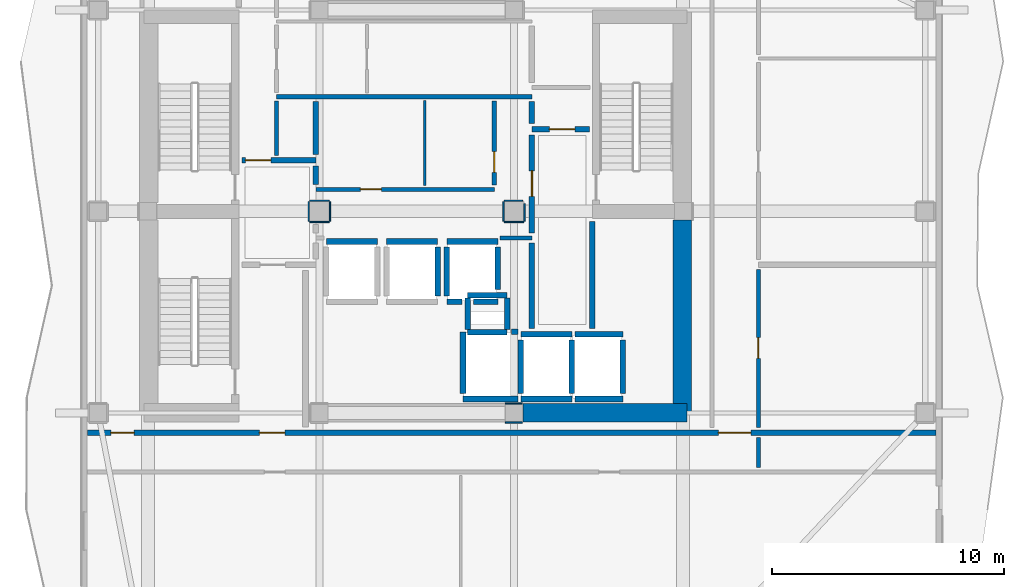
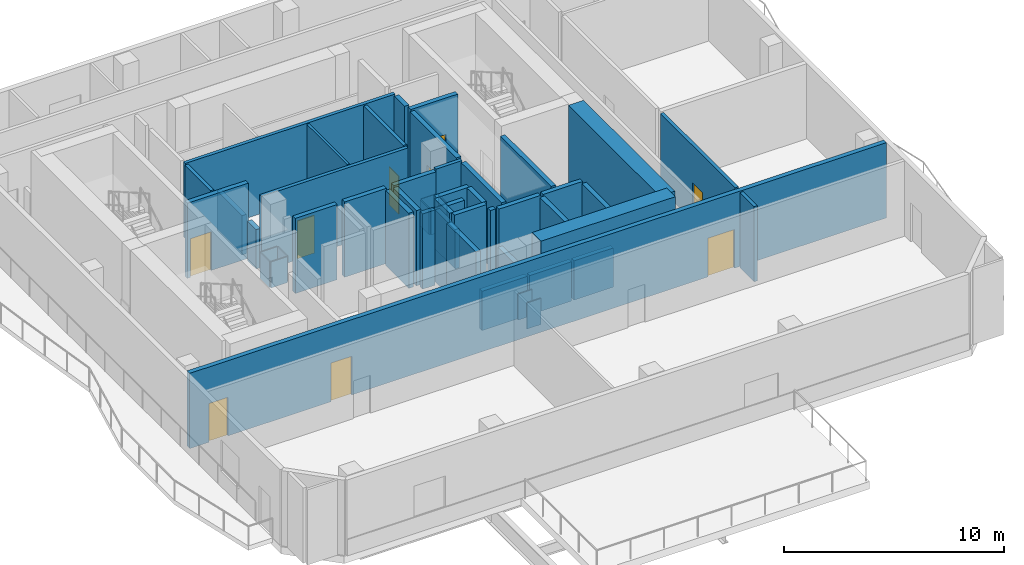
# One storey, part 3 of 10: 51 walls, 9 doors, 9 openings.
"""IFC4 building model written with IfcOpenShell, lengths in metres."""

import ifcopenshell
import ifcopenshell.guid

model = None  # the IFC model being written
_history = None  # IfcOwnerHistory: only IFC2X3 demands one
_inside = {}  # id of a spatial element -> (the spatial element, [elements in it])
_under = {}  # id of a project, library or spatial element -> (it, [spatial elements below it])
_declared = {}  # id of a project -> (the project, [libraries it declares])
_typed = {}  # id of a type object -> (the type object, [elements of that type])
_made_of = {}  # id of a material, layer set ... -> (it, [elements and type objects made of it])


def new_model(schema):
    """Start an empty IFC model of exactly this schema.

    Asked for "IFC4X3", IfcOpenShell would pick the latest addendum, in which some entities
    have other attributes; the version numbers below select the first issue.
    IFC2X3 requires an IfcOwnerHistory on every rooted entity: one is made here for all.
    """
    global model, _history
    if schema == "IFC4X3":
        model = ifcopenshell.file(schema_version=(4, 3, 0, 0))
    else:
        model = ifcopenshell.file(schema=schema)
    _inside.clear()
    _under.clear()
    _declared.clear()
    _typed.clear()
    _made_of.clear()
    _history = None
    if model.schema == "IFC2X3":
        org = make("IfcOrganization", Name="unknown")
        user = make(
            "IfcPersonAndOrganization",
            ThePerson=make("IfcPerson", FamilyName="unknown"),
            TheOrganization=org,
        )
        app = make(
            "IfcApplication",
            ApplicationDeveloper=org,
            Version="unknown",
            ApplicationFullName="unknown",
            ApplicationIdentifier="unknown",
        )
        _history = make(
            "IfcOwnerHistory",
            OwningUser=user,
            OwningApplication=app,
            ChangeAction="ADDED",
            CreationDate=0,
        )
    return model


def make(cls, **values):
    """One entity of the class cls with the attributes given. An attribute that is None is left unset."""
    return model.create_entity(
        cls, **{name: value for name, value in values.items() if value is not None}
    )


def rooted(cls, **values):
    """An entity with a GlobalId (a new one), such as an element, a storey or a relation."""
    return make(cls, GlobalId=ifcopenshell.guid.new(), OwnerHistory=_history, **values)


def si_unit(unit_type, name, prefix=None):
    """IfcSIUnit, for example si_unit("LENGTHUNIT", "METRE", prefix="MILLI")."""
    return make("IfcSIUnit", UnitType=unit_type, Prefix=prefix, Name=name)


def assignment(units):
    """IfcUnitAssignment: the units of a project."""
    return None if units is None else make("IfcUnitAssignment", Units=units)


def point(xyz):
    """IfcCartesianPoint."""
    return None if xyz is None else make("IfcCartesianPoint", Coordinates=xyz)


def direction(xyz):
    """IfcDirection."""
    return None if xyz is None else make("IfcDirection", DirectionRatios=xyz)


def frame(location, z_axis=None, x_axis=None):
    """IfcAxis2Placement3D, a coordinate frame: its origin and axes. An axis left out is left unset."""
    return make(
        "IfcAxis2Placement3D",
        Location=point(location),
        Axis=direction(z_axis),
        RefDirection=direction(x_axis),
    )


def frame_2d(location, x_axis=None):
    """IfcAxis2Placement2D, a coordinate frame in the plane: its origin and x axis."""
    return make(
        "IfcAxis2Placement2D", Location=point(location), RefDirection=direction(x_axis)
    )


def origin():
    """The frame at (0, 0, 0) with its axes left unset."""
    return frame((0.0, 0.0, 0.0))


def place(relative_to, where):
    """IfcLocalPlacement: puts the frame where relative to a parent placement (None: the world)."""
    return make(
        "IfcLocalPlacement", PlacementRelTo=relative_to, RelativePlacement=where
    )


def context(
    kind, dimensions, precision=None, world=None, true_north=None, identifier=None
):
    """IfcGeometricRepresentationContext, for example the 3D "Model" context."""
    return make(
        "IfcGeometricRepresentationContext",
        ContextIdentifier=identifier,
        ContextType=kind,
        CoordinateSpaceDimension=dimensions,
        Precision=precision,
        WorldCoordinateSystem=world,
        TrueNorth=true_north,
    )


def subcontext(parent, identifier, kind, view, scale=None):
    """IfcGeometricRepresentationSubContext, for example "Body" below "Model"."""
    return make(
        "IfcGeometricRepresentationSubContext",
        ContextIdentifier=identifier,
        ContextType=kind,
        ParentContext=parent,
        TargetScale=scale,
        TargetView=view,
    )


def project(units=None, contexts=None):
    """IfcProject with its units and contexts."""
    return rooted(
        "IfcProject",
        Name="project",
        RepresentationContexts=contexts,
        UnitsInContext=assignment(units),
    )


def spatial(cls, under=None, at=None, **own):
    """A site, building, storey or space (cls), placed at a placement, below another one or the project."""
    s = rooted(cls, ObjectPlacement=at, **own)
    if under is not None:
        _under.setdefault(under.id(), (under, []))[1].append(s)
    return s


def profile(cls, at=None, kind="AREA", **sizes):
    """A parametric profile (cls). Its sizes go by their IFC names, for example OverallWidth=200.0."""
    return make(cls, ProfileType=kind, Position=at, **sizes)


def rectangle(**sizes):
    """IfcRectangleProfileDef."""
    return profile("IfcRectangleProfileDef", **sizes)


def extrude(swept, where, along, depth):
    """IfcExtrudedAreaSolid: the profile swept, set in the frame where, extruded along a direction by depth."""
    return make(
        "IfcExtrudedAreaSolid",
        SweptArea=swept,
        Position=where,
        ExtrudedDirection=direction(along),
        Depth=depth,
    )


def shape(context_of_items, identifier, shape_type, items):
    """IfcShapeRepresentation: the items that make up one representation, for example the "Body"."""
    return make(
        "IfcShapeRepresentation",
        ContextOfItems=context_of_items,
        RepresentationIdentifier=identifier,
        RepresentationType=shape_type,
        Items=items,
    )


def material(Name=None, Category=None):
    """IfcMaterial."""
    return make("IfcMaterial", Name=Name, Category=Category)


def layer(
    of_material, thickness, ventilated=None, Name=None, Category=None, Priority=None
):
    """IfcMaterialLayer: one layer of a wall or slab, of a material (None: an air gap)."""
    return make(
        "IfcMaterialLayer",
        Material=of_material,
        LayerThickness=thickness,
        IsVentilated=ventilated,
        Name=Name,
        Category=Category,
        Priority=Priority,
    )


def layer_set(layers, Name=None):
    """IfcMaterialLayerSet."""
    return make("IfcMaterialLayerSet", MaterialLayers=layers, LayerSetName=Name)


def made_of(thing, what):
    """Note that an element or type object is made of a material, layer set ...; save() writes the relation."""
    if what is not None:
        _made_of.setdefault(what.id(), (what, []))[1].append(thing)
    return thing


def type_object(cls, material=None, **own):
    """A type object (cls), such as IfcWallType, which elements share."""
    return made_of(rooted(cls, **own), material)


def element(
    cls,
    number,
    at=None,
    inside=None,
    cuts=None,
    type_object=None,
    material=None,
    context=None,
    identifier="Body",
    shape_type=None,
    held_by="IfcProductDefinitionShape",
    body=None,
    shapes=None,
    **own,
):
    """One element of the class cls, such as IfcWall. Its Tag is "e" and its number.

    at: its placement. inside: the storey or other place that contains it. cuts: it is an
    opening in that element (IfcRelVoidsElement). A single representation is given by context,
    identifier, shape_type and body (its items); several are given by shapes. held_by: the class
    of the entity that holds the representations. save() writes the other relations.
    """
    e = rooted(cls, Tag="e%d" % number, ObjectPlacement=at, **own)
    if body is not None:
        shapes = [shape(context, identifier, shape_type, body)]
    if shapes is not None:
        e.Representation = make(held_by, Representations=shapes)
    if inside is not None:
        _inside.setdefault(inside.id(), (inside, []))[1].append(e)
    if cuts is not None:
        rooted(
            "IfcRelVoidsElement", RelatingBuildingElement=cuts, RelatedOpeningElement=e
        )
    if type_object is not None:
        _typed.setdefault(type_object.id(), (type_object, []))[1].append(e)
    return made_of(e, material)


def fill(opening, filler):
    """IfcRelFillsElement: the door or window that sits in an opening."""
    return rooted(
        "IfcRelFillsElement",
        RelatingOpeningElement=opening,
        RelatedBuildingElement=filler,
    )


def aggregate(whole, parts):
    """IfcRelAggregates: a whole, such as a stair, and the parts it consists of."""
    return rooted("IfcRelAggregates", RelatingObject=whole, RelatedObjects=parts)


def save(model, path):
    """Write the relations noted so far, then the file.

    IfcRelAggregates (storeys below a building ...), IfcRelContainedInSpatialStructure (elements
    in a storey), IfcRelDefinesByType, IfcRelAssociatesMaterial and IfcRelDeclares: one each for
    every whole, place, type object, material and project.
    """
    for whole, parts in _under.values():
        aggregate(whole, parts)
    for where, things in _inside.values():
        rooted(
            "IfcRelContainedInSpatialStructure",
            RelatedElements=things,
            RelatingStructure=where,
        )
    for kind, things in _typed.values():
        rooted("IfcRelDefinesByType", RelatedObjects=things, RelatingType=kind)
    for what, things in _made_of.values():
        rooted("IfcRelAssociatesMaterial", RelatedObjects=things, RelatingMaterial=what)
    for by, libraries in _declared.values():
        rooted("IfcRelDeclares", RelatingContext=by, RelatedDefinitions=libraries)
    model.write(path)


model = new_model("IFC4")

# Units and contexts
model_context = context("Model", 3, precision=1e-05, world=origin(), true_north=direction((0.0, 1.0)))
body_context = subcontext(model_context, "Body", "Model", "MODEL_VIEW")
ifc_project = project(units=[si_unit("LENGTHUNIT", "METRE"), si_unit("AREAUNIT", "SQUARE_METRE"), si_unit("VOLUMEUNIT", "CUBIC_METRE"), si_unit("PLANEANGLEUNIT", "RADIAN"), si_unit("MASSUNIT", "GRAM", prefix="KILO")], contexts=[model_context])

# Site, building, storey
site_placement = place(None, origin())
site = spatial("IfcSite", under=ifc_project, at=site_placement, CompositionType="ELEMENT")
building_placement = place(site_placement, origin())
building = spatial("IfcBuilding", under=site, at=building_placement, Name="Solanera Arch Residences", CompositionType="ELEMENT")
storey_placement = place(building_placement, frame((0.0, 0.0, 226.679931640625)))
storey = spatial("IfcBuildingStorey", under=building, at=storey_placement, Name="L66", CompositionType="ELEMENT", Elevation=226.679931640625)

# Walls
ifc_material_1 = material(Name="Fire-Rated Gypsum Stud Partition", Category="gypsum")
ifc_layer_1 = layer(ifc_material_1, 0.06005859375)
ifc_layer_set_1 = layer_set([ifc_layer_1], Name="Fire-Rated Gypsum Stud Partition")
wall_type_1 = type_object("IfcWallType", Name="Column Acoustic Furring Wall 60", PredefinedType="PARTITIONING", material=ifc_layer_set_1)
for number, where, z_axis, x_axis, name in (
    (1, (28.8330078125, 21.593017578125, 0.0), (0.0, 0.0, 1.0), (1.0, 0.0, 0.0), "L66 Column Furring 2S"),
    (2, (28.8330078125, 22.406982421875, 0.0), (0.0, 0.0, 1.0), (1.0, 0.0, 0.0), "L66 Column Furring 2N"),
):
    element("IfcWall", number, at=place(storey_placement, frame(where, z_axis=z_axis, x_axis=x_axis)), inside=storey, type_object=wall_type_1, Name=name, PredefinedType="PARTITIONING", context=body_context, shape_type="SweptSolid", body=[
        extrude(rectangle(XDim=0.73388671875, YDim=0.06005859375, at=frame_2d((0.366943359375, 0.0))), origin(), (0.0, 0.0, 1.0), 1.449951171875),
    ])
for number, where, z_axis, x_axis, name in (
    (3, (20.375, 30.242919921875, 0.0), (0.0, 0.0, 1.0), (1.0, 0.0, 0.0), "L66 Column Furring 7S"),
    (4, (20.375, 31.156982421875, 0.0), (0.0, 0.0, 1.0), (1.0, 0.0, 0.0), "L66 Column Furring 7N"),
    (5, (20.343017578125, 30.27490234375, 0.0), (0.0, 0.0, 1.0), (0.0, 1.0, 0.0), "L66 Column Furring 7W"),
    (6, (21.257080078125, 30.27490234375, 0.0), (0.0, 0.0, 1.0), (0.0, 1.0, 0.0), "L66 Column Furring 7E"),
    (7, (28.77490234375, 30.242919921875, 0.0), (0.0, 0.0, 1.0), (1.0, 0.0, 0.0), "L66 Column Furring 8S"),
):
    element("IfcWall", number, at=place(storey_placement, frame(where, z_axis=z_axis, x_axis=x_axis)), inside=storey, type_object=wall_type_1, Name=name, PredefinedType="PARTITIONING", context=body_context, shape_type="SweptSolid", body=[
        extrude(rectangle(XDim=0.85009765625, YDim=0.06005859375, at=frame_2d((0.425048828125, 0.0))), origin(), (0.0, 0.0, 1.0), 1.449951171875),
    ])
wall_1_placement = place(storey_placement, frame((28.77490234375, 31.156982421875, 0.0), z_axis=(0.0, 0.0, 1.0), x_axis=(1.0, 0.0, 0.0)))
element("IfcWall", 8, at=wall_1_placement, inside=storey, type_object=wall_type_1, Name="L66 Column Furring 8N", PredefinedType="PARTITIONING", context=body_context, shape_type="SweptSolid", body=[
    extrude(rectangle(XDim=0.794189453125, YDim=0.06005859375, at=frame_2d((0.39697265625, 0.0))), origin(), (0.0, 0.0, 1.0), 1.449951171875),
])
wall_2_placement = place(storey_placement, frame((28.742919921875, 30.27490234375, 0.0), z_axis=(0.0, 0.0, 1.0), x_axis=(0.0, 1.0, 0.0)))
element("IfcWall", 9, at=wall_2_placement, inside=storey, type_object=wall_type_1, Name="L66 Column Furring 8W", PredefinedType="PARTITIONING", context=body_context, shape_type="SweptSolid", body=[
    extrude(rectangle(XDim=0.85009765625, YDim=0.06005859375, at=frame_2d((0.425048828125, 0.0))), origin(), (0.0, 0.0, 1.0), 1.449951171875),
])
wall_3_placement = place(storey_placement, frame((29.656982421875, 30.27490234375, 0.0), z_axis=(0.0, 0.0, 1.0), x_axis=(0.0, 1.0, 0.0)))
element("IfcWall", 10, at=wall_3_placement, inside=storey, type_object=wall_type_1, Name="L66 Column Furring 8E", PredefinedType="PARTITIONING", context=body_context, shape_type="SweptSolid", body=[
    extrude(rectangle(XDim=0.757080078125, YDim=0.06005859375, at=frame_2d((0.37841796875, 0.0))), origin(), (0.0, 0.0, 1.0), 1.449951171875),
])
ifc_material_2 = material(Name="Concrete C40/50 (f'c = 45 MPa)", Category="concrete")
ifc_layer_2 = layer(ifc_material_2, 0.800048828125)
ifc_layer_set_2 = layer_set([ifc_layer_2], Name="Concrete C40/50 (f'c = 45 MPa)")
wall_type_2 = type_object("IfcWallType", Name="Core Shear Wall CW-800", PredefinedType="SHEAR", material=ifc_layer_set_2)
wall_4_placement = place(storey_placement, frame((36.4599609375, 22.0, 0.0), z_axis=(0.0, 0.0, 1.0), x_axis=(0.0, 1.0, 0.0)))
element("IfcWall", 11, at=wall_4_placement, inside=storey, type_object=wall_type_2, Name="L66 East Core South Shear Wall", PredefinedType="SHEAR", context=body_context, shape_type="SweptSolid", body=[
    extrude(rectangle(XDim=8.320068359375, YDim=0.800048828125, at=frame_2d((4.16015625, 0.0))), origin(), (0.0, 0.0, 1.0), 4.60009765625),
])
wall_5_placement = place(storey_placement, frame((29.580078125, 22.0, 0.0), z_axis=(0.0, 0.0, 1.0), x_axis=(1.0, 0.0, 0.0)))
element("IfcWall", 12, at=wall_5_placement, inside=storey, type_object=wall_type_2, Name="L66 South-East Core Shear Wall", PredefinedType="SHEAR", context=body_context, shape_type="SweptSolid", body=[
    extrude(rectangle(XDim=7.079833984375, YDim=0.800048828125, at=frame_2d((3.5400390625, 0.0))), origin(), (0.0, 0.0, 1.0), 4.60009765625),
])
ifc_material_3 = material(Name="Autoclaved Aerated Concrete Blockwork", Category="masonry")
ifc_layer_3 = layer(ifc_material_3, 0.179931640625)
ifc_layer_set_3 = layer_set([ifc_layer_3], Name="Autoclaved Aerated Concrete Blockwork")
wall_type_3 = type_object("IfcWallType", Name="Corridor Fire Partition 180", PredefinedType="PARTITIONING", material=ifc_layer_set_3)
wall_6_placement = place(storey_placement, frame((28.593017578125, 29.550048828125, 0.0), z_axis=(0.0, 0.0, 1.0), x_axis=(1.0, 0.0, 0.0)))
element("IfcWall", 13, at=wall_6_placement, inside=storey, type_object=wall_type_3, Name="L66 Interior Partition H8 2", PredefinedType="PARTITIONING", context=body_context, shape_type="SweptSolid", body=[
    extrude(rectangle(XDim=1.382080078125, YDim=0.179931640625, at=frame_2d((0.69091796875, 0.0))), origin(), (0.0, 0.0, 1.0), 4.18017578125),
])

# Wall, opening, door
wall_7_placement = place(storey_placement, frame((20.64990234375, 31.64990234375, 0.0), z_axis=(0.0, 0.0, 1.0), x_axis=(1.0, 0.0, 0.0)))
wall_7 = element("IfcWall", 14, at=wall_7_placement, inside=storey, type_object=wall_type_3, Name="L66 Interior Partition H9", PredefinedType="PARTITIONING", context=body_context, shape_type="SweptSolid", body=[
    extrude(rectangle(XDim=7.7001953125, YDim=0.179931640625, at=frame_2d((3.85009765625, 0.0))), origin(), (0.0, 0.0, 1.0), 4.18017578125),
])
opening_1_placement = place(wall_7_placement, frame((1.924072265625, 0.0, 0.0)))
opening_1 = element("IfcOpeningElement", 15, at=opening_1_placement, cuts=wall_7, Name="Opening DI-02", PredefinedType="OPENING", context=body_context, shape_type="SweptSolid", body=[
    extrude(rectangle(XDim=0.89990234375, YDim=2.10009765625, at=frame_2d((0.449951171875, 1.050048828125))), frame((0.0, 0.10009765625, 0.0), z_axis=(0.0, -1.0, 0.0), x_axis=(1.0, 0.0, 0.0)), (0.0, 0.0, 1.0), 0.1999),
])
ifc_material_4 = material(Name="Fire-Rated Architectural Hardwood", Category="wood")
door_type_1 = type_object("IfcDoorType", Name="Suite Room Swing Door DI-02", OperationType="NOTDEFINED", PredefinedType="DOOR", material=ifc_material_4)
door_1_placement = place(opening_1_placement, origin())
door_1 = element("IfcDoor", 16, at=door_1_placement, inside=storey, type_object=door_type_1, Name="DR-L66-IN-016", OperationType="SINGLE_SWING_RIGHT", OverallHeight=2.10009765625, OverallWidth=0.89990234375, PredefinedType="DOOR", context=body_context, shape_type="SweptSolid", body=[
    extrude(rectangle(XDim=0.89990234375, YDim=2.10009765625, at=frame_2d((0.449951171875, 1.050048828125))), frame((0.0, 0.02490234375, 0.0), z_axis=(0.0, -1.0, 0.0), x_axis=(1.0, 0.0, 0.0)), (0.0, 0.0, 1.0), 0.050048828125),
])
fill(opening_1, door_1)

# Walls
wall_8_placement = place(storey_placement, frame((18.949951171875, 35.64990234375, 0.0), z_axis=(0.0, 0.0, 1.0), x_axis=(1.0, 0.0, 0.0)))
element("IfcWall", 17, at=wall_8_placement, inside=storey, type_object=wall_type_3, Name="L66 Interior Partition H10", PredefinedType="PARTITIONING", context=body_context, shape_type="SweptSolid", body=[
    extrude(rectangle(XDim=11.025146484375, YDim=0.179931640625, at=frame_2d((5.5126953125, 0.0))), origin(), (0.0, 0.0, 1.0), 4.18017578125),
])
wall_9_placement = place(storey_placement, frame((18.949951171875, 33.117919921875, 0.0), z_axis=(0.0, 0.0, 1.0), x_axis=(0.0, 1.0, 0.0)))
element("IfcWall", 18, at=wall_9_placement, inside=storey, type_object=wall_type_3, Name="L66 Interior Partition V8 1", PredefinedType="PARTITIONING", context=body_context, shape_type="SweptSolid", body=[
    extrude(rectangle(XDim=2.343994140625, YDim=0.179931640625, at=frame_2d((1.171875, 0.0))), origin(), (0.0, 0.0, 1.0), 4.18017578125),
])

# Wall, opening, door
wall_10_placement = place(storey_placement, frame((28.35009765625, 31.837890625, 0.0), z_axis=(0.0, 0.0, 1.0), x_axis=(0.0, 1.0, 0.0)))
wall_10 = element("IfcWall", 19, at=wall_10_placement, inside=storey, type_object=wall_type_3, Name="L66 Interior Partition V9", PredefinedType="PARTITIONING", context=body_context, shape_type="SweptSolid", body=[
    extrude(rectangle(XDim=3.6240234375, YDim=0.179931640625, at=frame_2d((1.81201171875, 0.0))), origin(), (0.0, 0.0, 1.0), 4.18017578125),
])
opening_2_placement = place(wall_10_placement, frame((0.541015625, 0.0, 0.0)))
opening_2 = element("IfcOpeningElement", 20, at=opening_2_placement, cuts=wall_10, Name="Opening DI-02", PredefinedType="OPENING", context=body_context, shape_type="SweptSolid", body=[
    extrude(rectangle(XDim=0.89990234375, YDim=2.10009765625, at=frame_2d((0.449951171875, 1.050048828125))), frame((0.0, 0.10009765625, 0.0), z_axis=(0.0, -1.0, 0.0), x_axis=(1.0, 0.0, 0.0)), (0.0, 0.0, 1.0), 0.1999),
])
door_2_placement = place(opening_2_placement, origin())
door_2 = element("IfcDoor", 21, at=door_2_placement, inside=storey, type_object=door_type_1, Name="DR-L66-IN-017", OperationType="SINGLE_SWING_LEFT", OverallHeight=2.10009765625, OverallWidth=0.89990234375, PredefinedType="DOOR", context=body_context, shape_type="SweptSolid", body=[
    extrude(rectangle(XDim=0.89990234375, YDim=2.10009765625, at=frame_2d((0.449951171875, 1.050048828125))), frame((0.0, 0.02490234375, 0.0), z_axis=(0.0, -1.0, 0.0), x_axis=(1.0, 0.0, 0.0)), (0.0, 0.0, 1.0), 0.050048828125),
])
fill(opening_2, door_2)

# Wall
wall_11_placement = place(storey_placement, frame((39.75, 19.637939453125, 0.0), z_axis=(0.0, 0.0, 1.0), x_axis=(0.0, 1.0, 0.0)))
element("IfcWall", 22, at=wall_11_placement, inside=storey, type_object=wall_type_3, Name="L66 Interior Partition V11 1", PredefinedType="PARTITIONING", context=body_context, shape_type="SweptSolid", body=[
    extrude(rectangle(XDim=1.2939453125, YDim=0.179931640625, at=frame_2d((0.64697265625, 0.0))), origin(), (0.0, 0.0, 1.0), 4.18017578125),
])

# Wall, opening, door
wall_12_placement = place(storey_placement, frame((39.75, 21.367919921875, 0.0), z_axis=(0.0, 0.0, 1.0), x_axis=(0.0, 1.0, 0.0)))
wall_12 = element("IfcWall", 23, at=wall_12_placement, inside=storey, type_object=wall_type_3, Name="L66 Interior Partition V11 2", PredefinedType="PARTITIONING", context=body_context, shape_type="SweptSolid", body=[
    extrude(rectangle(XDim=6.81396484375, YDim=0.179931640625, at=frame_2d((3.406982421875, 0.0))), origin(), (0.0, 0.0, 1.0), 4.18017578125),
])
opening_3_placement = place(wall_12_placement, frame((2.98095703125, 0.0, 0.0)))
opening_3 = element("IfcOpeningElement", 24, at=opening_3_placement, cuts=wall_12, Name="Opening DI-02", PredefinedType="OPENING", context=body_context, shape_type="SweptSolid", body=[
    extrude(rectangle(XDim=0.89990234375, YDim=2.10009765625, at=frame_2d((0.449951171875, 1.050048828125))), frame((0.0, 0.10009765625, 0.0), z_axis=(0.0, -1.0, 0.0), x_axis=(1.0, 0.0, 0.0)), (0.0, 0.0, 1.0), 0.1999),
])
door_3_placement = place(opening_3_placement, origin())
door_3 = element("IfcDoor", 25, at=door_3_placement, inside=storey, type_object=door_type_1, Name="DR-L66-IN-020", OperationType="SINGLE_SWING_RIGHT", OverallHeight=2.10009765625, OverallWidth=0.89990234375, PredefinedType="DOOR", context=body_context, shape_type="SweptSolid", body=[
    extrude(rectangle(XDim=0.89990234375, YDim=2.10009765625, at=frame_2d((0.449951171875, 1.050048828125))), frame((0.0, 0.02490234375, 0.0), z_axis=(0.0, -1.0, 0.0), x_axis=(1.0, 0.0, 0.0)), (0.0, 0.0, 1.0), 0.050048828125),
])
fill(opening_3, door_3)

# Walls
ifc_material_5 = material(Name="Concrete C40/50 (f'c = 45 MPa)", Category="concrete")
ifc_layer_4 = layer(ifc_material_5, 0.239990234375)
ifc_layer_set_4 = layer_set([ifc_layer_4], Name="Concrete C40/50 (f'c = 45 MPa)")
wall_type_4 = type_object("IfcWallType", Name="Ramp Bearing Shear Wall RW-240", PredefinedType="SHEAR", material=ifc_layer_set_4)
for number, where, z_axis, x_axis, name in (
    (26, (27.199951171875, 25.47998046875, 0.0), (0.0, 0.0, 1.0), (1.0, 0.0, 0.0), "L66 Core MEP Riser South Shaft Wall"),
    (27, (27.199951171875, 27.080078125, 0.0), (0.0, 0.0, 1.0), (1.0, 0.0, 0.0), "L66 Core MEP Riser North Shaft Wall"),
):
    element("IfcWall", number, at=place(storey_placement, frame(where, z_axis=z_axis, x_axis=x_axis)), inside=storey, type_object=wall_type_4, Name=name, PredefinedType="SHEAR", context=body_context, shape_type="SweptSolid", body=[
        extrude(rectangle(XDim=1.699951171875, YDim=0.239990234375, at=frame_2d((0.85009765625, 0.0))), origin(), (0.0, 0.0, 1.0), 4.60009765625),
    ])
for number, where, z_axis, x_axis, name in (
    (28, (27.199951171875, 25.60009765625, 0.0), (0.0, 0.0, 1.0), (0.0, 1.0, 0.0), "L66 Core MEP Riser West Shaft Wall"),
    (29, (28.89990234375, 25.60009765625, 0.0), (0.0, 0.0, 1.0), (0.0, 1.0, 0.0), "L66 Core MEP Riser East Shaft Wall"),
):
    element("IfcWall", number, at=place(storey_placement, frame(where, z_axis=z_axis, x_axis=x_axis)), inside=storey, type_object=wall_type_4, Name=name, PredefinedType="SHEAR", context=body_context, shape_type="SweptSolid", body=[
        extrude(rectangle(XDim=1.35986328125, YDim=0.239990234375, at=frame_2d((0.679931640625, 0.0))), origin(), (0.0, 0.0, 1.0), 4.60009765625),
    ])
ifc_material_6 = material(Name="Autoclaved Aerated Concrete Blockwork", Category="masonry")
ifc_layer_5 = layer(ifc_material_6, 0.239990234375)
ifc_layer_set_5 = layer_set([ifc_layer_5], Name="Autoclaved Aerated Concrete Blockwork")
wall_type_5 = type_object("IfcWallType", Name="Shaft Wall Fire-Rated 240", PredefinedType="PARTITIONING", material=ifc_layer_set_5)
for number, where, z_axis, x_axis, name in (
    (30, (21.10009765625, 29.39990234375, 0.0), (0.0, 0.0, 1.0), (1.0, 0.0, 0.0), "L66 Lift PL-H1 Hoistway Wall N"),
    (31, (23.699951171875, 29.39990234375, 0.0), (0.0, 0.0, 1.0), (1.0, 0.0, 0.0), "L66 Lift PL-H2 Hoistway Wall N"),
):
    element("IfcWall", number, at=place(storey_placement, frame(where, z_axis=z_axis, x_axis=x_axis)), inside=storey, type_object=wall_type_5, Name=name, PredefinedType="PARTITIONING", context=body_context, shape_type="SweptSolid", body=[
        extrude(rectangle(XDim=2.199951171875, YDim=0.239990234375, at=frame_2d((1.10009765625, 0.0))), origin(), (0.0, 0.0, 1.0), 4.18017578125),
    ])
wall_13_placement = place(storey_placement, frame((25.89990234375, 27.048095703125, 0.0), z_axis=(0.0, 0.0, 1.0), x_axis=(0.0, 1.0, 0.0)))
element("IfcWall", 32, at=wall_13_placement, inside=storey, type_object=wall_type_5, Name="L66 Lift PL-H2 Hoistway Wall E", PredefinedType="PARTITIONING", context=body_context, shape_type="SweptSolid", body=[
    extrude(rectangle(XDim=2.10400390625, YDim=0.239990234375, at=frame_2d((1.052001953125, 0.0))), origin(), (0.0, 0.0, 1.0), 4.18017578125),
])
wall_14_placement = place(storey_placement, frame((26.300048828125, 26.800048828125, 0.0), z_axis=(0.0, 0.0, 1.0), x_axis=(1.0, 0.0, 0.0)))
element("IfcWall", 33, at=wall_14_placement, inside=storey, type_object=wall_type_5, Name="L66 Lift PL-H3 Hoistway Wall S 1", PredefinedType="PARTITIONING", context=body_context, shape_type="SweptSolid", body=[
    extrude(rectangle(XDim=0.64990234375, YDim=0.239990234375, at=frame_2d((0.324951171875, 0.0))), origin(), (0.0, 0.0, 1.0), 4.18017578125),
])
wall_15_placement = place(storey_placement, frame((27.449951171875, 26.800048828125, 0.0), z_axis=(0.0, 0.0, 1.0), x_axis=(1.0, 0.0, 0.0)))
element("IfcWall", 34, at=wall_15_placement, inside=storey, type_object=wall_type_5, Name="L66 Lift PL-H3 Hoistway Wall S 2", PredefinedType="PARTITIONING", context=body_context, shape_type="SweptSolid", body=[
    extrude(rectangle(XDim=1.050048828125, YDim=0.239990234375, at=frame_2d((0.52490234375, 0.0))), origin(), (0.0, 0.0, 1.0), 4.18017578125),
])
wall_16_placement = place(storey_placement, frame((26.300048828125, 29.39990234375, 0.0), z_axis=(0.0, 0.0, 1.0), x_axis=(1.0, 0.0, 0.0)))
element("IfcWall", 35, at=wall_16_placement, inside=storey, type_object=wall_type_5, Name="L66 Lift PL-H3 Hoistway Wall N", PredefinedType="PARTITIONING", context=body_context, shape_type="SweptSolid", body=[
    extrude(rectangle(XDim=2.199951171875, YDim=0.239990234375, at=frame_2d((1.10009765625, 0.0))), origin(), (0.0, 0.0, 1.0), 4.18017578125),
])
wall_17_placement = place(storey_placement, frame((26.300048828125, 27.048095703125, 0.0), z_axis=(0.0, 0.0, 1.0), x_axis=(0.0, 1.0, 0.0)))
element("IfcWall", 36, at=wall_17_placement, inside=storey, type_object=wall_type_5, Name="L66 Lift PL-H3 Hoistway Wall W", PredefinedType="PARTITIONING", context=body_context, shape_type="SweptSolid", body=[
    extrude(rectangle(XDim=2.10400390625, YDim=0.239990234375, at=frame_2d((1.052001953125, 0.0))), origin(), (0.0, 0.0, 1.0), 4.18017578125),
])
wall_18_placement = place(storey_placement, frame((28.5, 27.330078125, 0.0), z_axis=(0.0, 0.0, 1.0), x_axis=(0.0, 1.0, 0.0)))
element("IfcWall", 37, at=wall_18_placement, inside=storey, type_object=wall_type_5, Name="L66 Lift PL-H3 Hoistway Wall E", PredefinedType="PARTITIONING", context=body_context, shape_type="SweptSolid", body=[
    extrude(rectangle(XDim=1.822021484375, YDim=0.239990234375, at=frame_2d((0.9111328125, 0.0))), origin(), (0.0, 0.0, 1.0), 2.18505859375),
])
wall_19_placement = place(storey_placement, frame((29.5, 22.60009765625, 0.0), z_axis=(0.0, 0.0, 1.0), x_axis=(1.0, 0.0, 0.0)))
element("IfcWall", 38, at=wall_19_placement, inside=storey, type_object=wall_type_5, Name="L66 Lift FFL-1 Hoistway Wall S", PredefinedType="PARTITIONING", context=body_context, shape_type="SweptSolid", body=[
    extrude(rectangle(XDim=2.199951171875, YDim=0.239990234375, at=frame_2d((1.10009765625, 0.0))), origin(), (0.0, 0.0, 1.0), 2.18505859375),
])
wall_20_placement = place(storey_placement, frame((29.5, 25.39990234375, 0.0), z_axis=(0.0, 0.0, 1.0), x_axis=(1.0, 0.0, 0.0)))
element("IfcWall", 39, at=wall_20_placement, inside=storey, type_object=wall_type_5, Name="L66 Lift FFL-1 Hoistway Wall N", PredefinedType="PARTITIONING", context=body_context, shape_type="SweptSolid", body=[
    extrude(rectangle(XDim=2.199951171875, YDim=0.239990234375, at=frame_2d((1.10009765625, 0.0))), origin(), (0.0, 0.0, 1.0), 4.18017578125),
])
wall_21_placement = place(storey_placement, frame((29.5, 22.847900390625, 0.0), z_axis=(0.0, 0.0, 1.0), x_axis=(0.0, 1.0, 0.0)))
element("IfcWall", 40, at=wall_21_placement, inside=storey, type_object=wall_type_5, Name="L66 Lift FFL-1 Hoistway Wall W", PredefinedType="PARTITIONING", context=body_context, shape_type="SweptSolid", body=[
    extrude(rectangle(XDim=2.30419921875, YDim=0.239990234375, at=frame_2d((1.152099609375, 0.0))), origin(), (0.0, 0.0, 1.0), 2.18505859375),
])
wall_22_placement = place(storey_placement, frame((31.699951171875, 22.847900390625, 0.0), z_axis=(0.0, 0.0, 1.0), x_axis=(0.0, 1.0, 0.0)))
element("IfcWall", 41, at=wall_22_placement, inside=storey, type_object=wall_type_5, Name="L66 Lift FFL-1 Hoistway Wall E", PredefinedType="PARTITIONING", context=body_context, shape_type="SweptSolid", body=[
    extrude(rectangle(XDim=2.30419921875, YDim=0.239990234375, at=frame_2d((1.152099609375, 0.0))), origin(), (0.0, 0.0, 1.0), 4.18017578125),
])
wall_23_placement = place(storey_placement, frame((31.827880859375, 22.60009765625, 0.0), z_axis=(0.0, 0.0, 1.0), x_axis=(1.0, 0.0, 0.0)))
element("IfcWall", 42, at=wall_23_placement, inside=storey, type_object=wall_type_5, Name="L66 Lift FFL-2 Hoistway Wall S", PredefinedType="PARTITIONING", context=body_context, shape_type="SweptSolid", body=[
    extrude(rectangle(XDim=2.072021484375, YDim=0.239990234375, at=frame_2d((1.0361328125, 0.0))), origin(), (0.0, 0.0, 1.0), 2.18505859375),
])
wall_24_placement = place(storey_placement, frame((31.827880859375, 25.39990234375, 0.0), z_axis=(0.0, 0.0, 1.0), x_axis=(1.0, 0.0, 0.0)))
element("IfcWall", 43, at=wall_24_placement, inside=storey, type_object=wall_type_5, Name="L66 Lift FFL-2 Hoistway Wall N", PredefinedType="PARTITIONING", context=body_context, shape_type="SweptSolid", body=[
    extrude(rectangle(XDim=2.072021484375, YDim=0.239990234375, at=frame_2d((1.0361328125, 0.0))), origin(), (0.0, 0.0, 1.0), 4.18017578125),
])
wall_25_placement = place(storey_placement, frame((33.89990234375, 22.847900390625, 0.0), z_axis=(0.0, 0.0, 1.0), x_axis=(0.0, 1.0, 0.0)))
element("IfcWall", 44, at=wall_25_placement, inside=storey, type_object=wall_type_5, Name="L66 Lift FFL-2 Hoistway Wall E", PredefinedType="PARTITIONING", context=body_context, shape_type="SweptSolid", body=[
    extrude(rectangle(XDim=2.30419921875, YDim=0.239990234375, at=frame_2d((1.152099609375, 0.0))), origin(), (0.0, 0.0, 1.0), 4.18017578125),
])
wall_26_placement = place(storey_placement, frame((27.0, 22.60009765625, 0.0), z_axis=(0.0, 0.0, 1.0), x_axis=(1.0, 0.0, 0.0)))
element("IfcWall", 45, at=wall_26_placement, inside=storey, type_object=wall_type_5, Name="L66 Lift SVL-1 Hoistway Wall S", PredefinedType="PARTITIONING", context=body_context, shape_type="SweptSolid", body=[
    extrude(rectangle(XDim=2.3720703125, YDim=0.239990234375, at=frame_2d((1.18603515625, 0.0))), origin(), (0.0, 0.0, 1.0), 2.18505859375),
])
wall_27_placement = place(storey_placement, frame((29.10302734375, 25.5, 0.0), z_axis=(0.0, 0.0, 1.0), x_axis=(1.0, 0.0, 0.0)))
element("IfcWall", 46, at=wall_27_placement, inside=storey, type_object=wall_type_5, Name="L66 Lift SVL-1 Hoistway Wall N", PredefinedType="PARTITIONING", context=body_context, shape_type="SweptSolid", body=[
    extrude(rectangle(XDim=0.26904296875, YDim=0.239990234375, at=frame_2d((0.134521484375, 0.0))), origin(), (0.0, 0.0, 1.0), 4.18017578125),
])
wall_28_placement = place(storey_placement, frame((27.0, 22.847900390625, 0.0), z_axis=(0.0, 0.0, 1.0), x_axis=(0.0, 1.0, 0.0)))
element("IfcWall", 47, at=wall_28_placement, inside=storey, type_object=wall_type_5, Name="L66 Lift SVL-1 Hoistway Wall W", PredefinedType="PARTITIONING", context=body_context, shape_type="SweptSolid", body=[
    extrude(rectangle(XDim=2.650146484375, YDim=0.239990234375, at=frame_2d((1.3251953125, 0.0))), origin(), (0.0, 0.0, 1.0), 4.18017578125),
])

# Wall, openings, doors
wall_29_placement = place(storey_placement, frame((10.787109375, 21.14990234375, 0.0), z_axis=(0.0, 0.0, 1.0), x_axis=(1.0, 0.0, 0.0)))
wall_29 = element("IfcWall", 48, at=wall_29_placement, inside=storey, type_object=wall_type_5, Name="L66 Interior Partition H1", PredefinedType="PARTITIONING", context=body_context, shape_type="SweptSolid", body=[
    extrude(rectangle(XDim=36.6259765625, YDim=0.239990234375, at=frame_2d((18.31298828125, 0.0))), origin(), (0.0, 0.0, 1.0), 4.18017578125),
])
opening_4_placement = place(wall_29_placement, frame((7.423095703125, 0.0, 0.0)))
opening_4 = element("IfcOpeningElement", 49, at=opening_4_placement, cuts=wall_29, Name="Opening DF-02", PredefinedType="OPENING", context=body_context, shape_type="SweptSolid", body=[
    extrude(rectangle(XDim=1.10009765625, YDim=2.14990234375, at=frame_2d((0.550048828125, 1.074951171875))), frame((0.0, 0.1298828125, 0.0), z_axis=(0.0, -1.0, 0.0), x_axis=(1.0, 0.0, 0.0)), (0.0, 0.0, 1.0), 0.26),
])
opening_5_placement = place(wall_29_placement, frame((1.011962890625, 0.0, 0.0)))
opening_5 = element("IfcOpeningElement", 50, at=opening_5_placement, cuts=wall_29, Name="Opening DI-01", PredefinedType="OPENING", context=body_context, shape_type="SweptSolid", body=[
    extrude(rectangle(XDim=1.0, YDim=2.14990234375, at=frame_2d((0.5, 1.074951171875))), frame((0.0, 0.1298828125, 0.0), z_axis=(0.0, -1.0, 0.0), x_axis=(1.0, 0.0, 0.0)), (0.0, 0.0, 1.0), 0.26),
])
opening_6_placement = place(wall_29_placement, frame((27.239013671875, 0.0, 0.0)))
opening_6 = element("IfcOpeningElement", 51, at=opening_6_placement, cuts=wall_29, Name="Opening DF-03", PredefinedType="OPENING", context=body_context, shape_type="SweptSolid", body=[
    extrude(rectangle(XDim=1.39990234375, YDim=2.14990234375, at=frame_2d((0.699951171875, 1.074951171875))), frame((0.0, 0.1298828125, 0.0), z_axis=(0.0, -1.0, 0.0), x_axis=(1.0, 0.0, 0.0)), (0.0, 0.0, 1.0), 0.26),
])
ifc_material_7 = material(Name="Fire-Rated Architectural Hardwood", Category="wood")
door_type_2 = type_object("IfcDoorType", Name="Corridor Smoke Door DF-03", OperationType="NOTDEFINED", PredefinedType="DOOR", material=ifc_material_7)
door_4_placement = place(opening_6_placement, origin())
door_4 = element("IfcDoor", 52, at=door_4_placement, inside=storey, type_object=door_type_2, Name="DR-L66-IN-011", OperationType="SINGLE_SWING_LEFT", OverallHeight=2.14990234375, OverallWidth=1.39990234375, PredefinedType="DOOR", context=body_context, shape_type="SweptSolid", body=[
    extrude(rectangle(XDim=1.39990234375, YDim=2.14990234375, at=frame_2d((0.699951171875, 1.074951171875))), frame((0.0, 0.02490234375, 0.0), z_axis=(0.0, -1.0, 0.0), x_axis=(1.0, 0.0, 0.0)), (0.0, 0.0, 1.0), 0.050048828125),
])
fill(opening_6, door_4)
ifc_material_8 = material(Name="Fire-Rated Architectural Hardwood", Category="wood")
door_type_3 = type_object("IfcDoorType", Name="Firefighting Lobby Fire Door DF-02", OperationType="NOTDEFINED", PredefinedType="DOOR", material=ifc_material_8)
door_5_placement = place(opening_4_placement, origin())
door_5 = element("IfcDoor", 53, at=door_5_placement, inside=storey, type_object=door_type_3, Name="DR-L66-IN-008", OperationType="SINGLE_SWING_RIGHT", OverallHeight=2.14990234375, OverallWidth=1.10009765625, PredefinedType="DOOR", context=body_context, shape_type="SweptSolid", body=[
    extrude(rectangle(XDim=1.10009765625, YDim=2.14990234375, at=frame_2d((0.550048828125, 1.074951171875))), frame((0.0, 0.02490234375, 0.0), z_axis=(0.0, -1.0, 0.0), x_axis=(1.0, 0.0, 0.0)), (0.0, 0.0, 1.0), 0.050048828125),
])
fill(opening_4, door_5)
ifc_material_9 = material(Name="Fire-Rated Architectural Hardwood", Category="wood")
door_type_4 = type_object("IfcDoorType", Name="Unit Entrance Fire Door DI-01", OperationType="NOTDEFINED", PredefinedType="DOOR", material=ifc_material_9)
door_6_placement = place(opening_5_placement, origin())
door_6 = element("IfcDoor", 54, at=door_6_placement, inside=storey, type_object=door_type_4, Name="DR-L66-IN-010", OperationType="SINGLE_SWING_RIGHT", OverallHeight=2.14990234375, OverallWidth=1.0, PredefinedType="DOOR", context=body_context, shape_type="SweptSolid", body=[
    extrude(rectangle(XDim=1.0, YDim=2.14990234375, at=frame_2d((0.5, 1.074951171875))), frame((0.0, 0.02490234375, 0.0), z_axis=(0.0, -1.0, 0.0), x_axis=(1.0, 0.0, 0.0)), (0.0, 0.0, 1.0), 0.050048828125),
])
fill(opening_5, door_6)

# Wall, opening, door
wall_30_placement = place(storey_placement, frame((17.449951171875, 32.89990234375, 0.0), z_axis=(0.0, 0.0, 1.0), x_axis=(1.0, 0.0, 0.0)))
wall_30 = element("IfcWall", 55, at=wall_30_placement, inside=storey, type_object=wall_type_5, Name="L66 Interior Partition H5", PredefinedType="PARTITIONING", context=body_context, shape_type="SweptSolid", body=[
    extrude(rectangle(XDim=3.199951171875, YDim=0.239990234375, at=frame_2d((1.60009765625, 0.0))), origin(), (0.0, 0.0, 1.0), 4.18017578125),
])
opening_7_placement = place(wall_30_placement, frame((0.158935546875, 0.0, 0.0)))
opening_7 = element("IfcOpeningElement", 56, at=opening_7_placement, cuts=wall_30, Name="Opening DF-02", PredefinedType="OPENING", context=body_context, shape_type="SweptSolid", body=[
    extrude(rectangle(XDim=1.10009765625, YDim=2.14990234375, at=frame_2d((0.550048828125, 1.074951171875))), frame((0.0, 0.1298828125, 0.0), z_axis=(0.0, -1.0, 0.0), x_axis=(1.0, 0.0, 0.0)), (0.0, 0.0, 1.0), 0.26),
])
door_7_placement = place(opening_7_placement, origin())
door_7 = element("IfcDoor", 57, at=door_7_placement, inside=storey, type_object=door_type_3, Name="DR-L66-IN-005", OperationType="SINGLE_SWING_LEFT", OverallHeight=2.14990234375, OverallWidth=1.10009765625, PredefinedType="DOOR", context=body_context, shape_type="SweptSolid", body=[
    extrude(rectangle(XDim=1.10009765625, YDim=2.14990234375, at=frame_2d((0.550048828125, 1.074951171875))), frame((0.0, 0.02490234375, 0.0), z_axis=(0.0, -1.0, 0.0), x_axis=(1.0, 0.0, 0.0)), (0.0, 0.0, 1.0), 0.050048828125),
])
fill(opening_7, door_7)

wall_31_placement = place(storey_placement, frame((29.97509765625, 34.25, 0.0), z_axis=(0.0, 0.0, 1.0), x_axis=(1.0, 0.0, 0.0)))
wall_31 = element("IfcWall", 58, at=wall_31_placement, inside=storey, type_object=wall_type_5, Name="L66 Interior Partition H6", PredefinedType="PARTITIONING", context=body_context, shape_type="SweptSolid", body=[
    extrude(rectangle(XDim=2.474853515625, YDim=0.239990234375, at=frame_2d((1.2373046875, 0.0))), origin(), (0.0, 0.0, 1.0), 4.18017578125),
])
opening_8_placement = place(wall_31_placement, frame((0.751953125, 0.0, 0.0)))
opening_8 = element("IfcOpeningElement", 59, at=opening_8_placement, cuts=wall_31, Name="Opening DF-02", PredefinedType="OPENING", context=body_context, shape_type="SweptSolid", body=[
    extrude(rectangle(XDim=1.10009765625, YDim=2.14990234375, at=frame_2d((0.550048828125, 1.074951171875))), frame((0.0, 0.1298828125, 0.0), z_axis=(0.0, -1.0, 0.0), x_axis=(1.0, 0.0, 0.0)), (0.0, 0.0, 1.0), 0.26),
])
door_8_placement = place(opening_8_placement, origin())
door_8 = element("IfcDoor", 60, at=door_8_placement, inside=storey, type_object=door_type_3, Name="DR-L66-IN-007", OperationType="SINGLE_SWING_LEFT", OverallHeight=2.14990234375, OverallWidth=1.10009765625, PredefinedType="DOOR", context=body_context, shape_type="SweptSolid", body=[
    extrude(rectangle(XDim=1.10009765625, YDim=2.14990234375, at=frame_2d((0.550048828125, 1.074951171875))), frame((0.0, 0.02490234375, 0.0), z_axis=(0.0, -1.0, 0.0), x_axis=(1.0, 0.0, 0.0)), (0.0, 0.0, 1.0), 0.050048828125),
])
fill(opening_8, door_8)

# Walls
wall_32_placement = place(storey_placement, frame((20.64990234375, 31.867919921875, 0.0), z_axis=(0.0, 0.0, 1.0), x_axis=(0.0, 1.0, 0.0)))
element("IfcWall", 61, at=wall_32_placement, inside=storey, type_object=wall_type_5, Name="L66 Interior Partition V3 3", PredefinedType="PARTITIONING", context=body_context, shape_type="SweptSolid", body=[
    extrude(rectangle(XDim=0.7841796875, YDim=0.239990234375, at=frame_2d((0.39208984375, 0.0))), origin(), (0.0, 0.0, 1.0), 2.18505859375),
])
wall_33_placement = place(storey_placement, frame((20.64990234375, 33.14794921875, 0.0), z_axis=(0.0, 0.0, 1.0), x_axis=(0.0, 1.0, 0.0)))
element("IfcWall", 62, at=wall_33_placement, inside=storey, type_object=wall_type_5, Name="L66 Interior Partition V3 4", PredefinedType="PARTITIONING", context=body_context, shape_type="SweptSolid", body=[
    extrude(rectangle(XDim=2.283935546875, YDim=0.239990234375, at=frame_2d((1.14208984375, 0.0))), origin(), (0.0, 0.0, 1.0), 2.18505859375),
])
wall_34_placement = place(storey_placement, frame((29.97509765625, 25.64794921875, 0.0), z_axis=(0.0, 0.0, 1.0), x_axis=(0.0, 1.0, 0.0)))
element("IfcWall", 63, at=wall_34_placement, inside=storey, type_object=wall_type_5, Name="L66 Interior Partition V4 1", PredefinedType="PARTITIONING", context=body_context, shape_type="SweptSolid", body=[
    extrude(rectangle(XDim=3.68408203125, YDim=0.239990234375, at=frame_2d((1.842041015625, 0.0))), origin(), (0.0, 0.0, 1.0), 4.18017578125),
])

# Wall, opening, door
wall_35_placement = place(storey_placement, frame((29.97509765625, 29.76806640625, 0.0), z_axis=(0.0, 0.0, 1.0), x_axis=(0.0, 1.0, 0.0)))
wall_35 = element("IfcWall", 64, at=wall_35_placement, inside=storey, type_object=wall_type_5, Name="L66 Interior Partition V4 2", PredefinedType="PARTITIONING", context=body_context, shape_type="SweptSolid", body=[
    extrude(rectangle(XDim=4.23388671875, YDim=0.239990234375, at=frame_2d((2.116943359375, 0.0))), origin(), (0.0, 0.0, 1.0), 4.18017578125),
])
opening_9_placement = place(wall_35_placement, frame((1.58203125, 0.0, 0.0)))
opening_9 = element("IfcOpeningElement", 65, at=opening_9_placement, cuts=wall_35, Name="Opening DF-02", PredefinedType="OPENING", context=body_context, shape_type="SweptSolid", body=[
    extrude(rectangle(XDim=1.10009765625, YDim=2.14990234375, at=frame_2d((0.550048828125, 1.074951171875))), frame((0.0, 0.1298828125, 0.0), z_axis=(0.0, -1.0, 0.0), x_axis=(1.0, 0.0, 0.0)), (0.0, 0.0, 1.0), 0.26),
])
door_9_placement = place(opening_9_placement, origin())
door_9 = element("IfcDoor", 66, at=door_9_placement, inside=storey, type_object=door_type_3, Name="DR-L66-IN-006", OperationType="SINGLE_SWING_RIGHT", OverallHeight=2.14990234375, OverallWidth=1.10009765625, PredefinedType="DOOR", context=body_context, shape_type="SweptSolid", body=[
    extrude(rectangle(XDim=1.10009765625, YDim=2.14990234375, at=frame_2d((0.550048828125, 1.074951171875))), frame((0.0, 0.02490234375, 0.0), z_axis=(0.0, -1.0, 0.0), x_axis=(1.0, 0.0, 0.0)), (0.0, 0.0, 1.0), 0.050048828125),
])
fill(opening_9, door_9)

# Walls
wall_36_placement = place(storey_placement, frame((29.97509765625, 34.498046875, 0.0), z_axis=(0.0, 0.0, 1.0), x_axis=(0.0, 1.0, 0.0)))
element("IfcWall", 67, at=wall_36_placement, inside=storey, type_object=wall_type_5, Name="L66 Interior Partition V4 3", PredefinedType="PARTITIONING", context=body_context, shape_type="SweptSolid", body=[
    extrude(rectangle(XDim=0.933837890625, YDim=0.239990234375, at=frame_2d((0.466796875, 0.0))), origin(), (0.0, 0.0, 1.0), 4.18017578125),
])
wall_37_placement = place(storey_placement, frame((32.580078125, 25.64794921875, 0.0), z_axis=(0.0, 0.0, 1.0), x_axis=(0.0, 1.0, 0.0)))
element("IfcWall", 68, at=wall_37_placement, inside=storey, type_object=wall_type_5, Name="L66 Interior Partition V5", PredefinedType="PARTITIONING", context=body_context, shape_type="SweptSolid", body=[
    extrude(rectangle(XDim=4.6220703125, YDim=0.239990234375, at=frame_2d((2.31103515625, 0.0))), origin(), (0.0, 0.0, 1.0), 4.18017578125),
])
ifc_material_10 = material(Name="Fire-Rated Gypsum Stud Partition", Category="gypsum")
ifc_layer_6 = layer(ifc_material_10, 0.1201171875)
ifc_layer_set_6 = layer_set([ifc_layer_6], Name="Fire-Rated Gypsum Stud Partition")
wall_type_6 = type_object("IfcWallType", Name="Unit Drywall Partition 120", PredefinedType="PARTITIONING", material=ifc_layer_set_6)
wall_38_placement = place(storey_placement, frame((25.35009765625, 31.80810546875, 0.0), z_axis=(0.0, 0.0, 1.0), x_axis=(0.0, 1.0, 0.0)))
element("IfcWall", 69, at=wall_38_placement, inside=storey, type_object=wall_type_6, Name="L66 Interior Partition V19", PredefinedType="PARTITIONING", context=body_context, shape_type="SweptSolid", body=[
    extrude(rectangle(XDim=3.683837890625, YDim=0.1201171875, at=frame_2d((1.841796875, 0.0))), origin(), (0.0, 0.0, 1.0), 4.18017578125),
])

save(model, "model.ifc")
